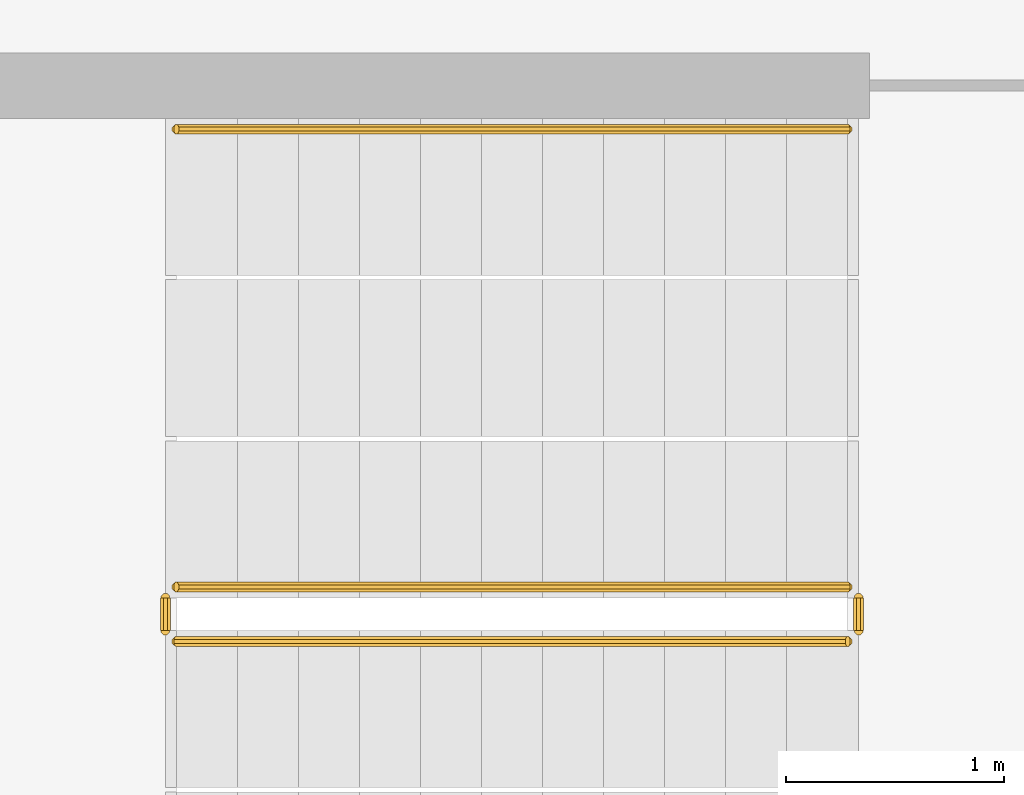
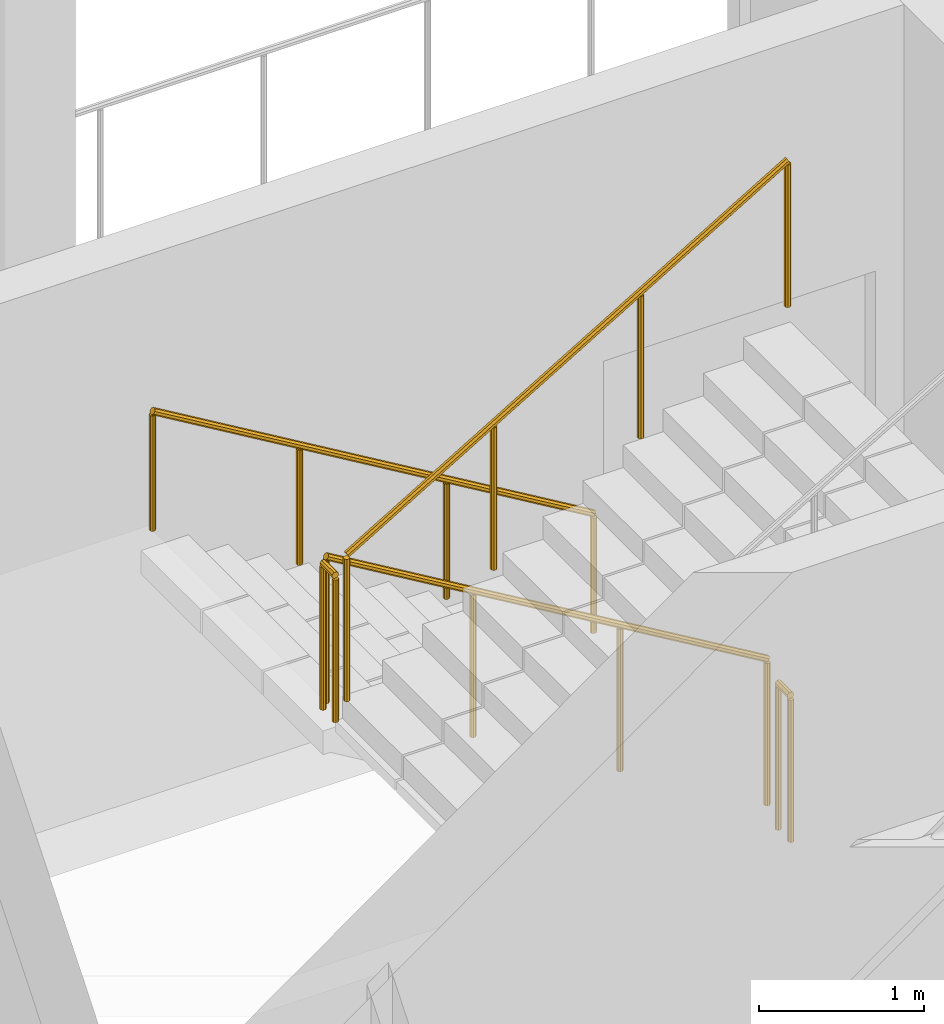
# One storey, part 20 of 28: 5 railings.
"""IFC4 building model written with IfcOpenShell, lengths in metres."""

from ifc_helpers import new_model, si_unit, direction, frame, origin, place, context, subcontext, project, spatial, polyline, outline, extrude, material, type_object, element, save


model = new_model("IFC4")

# Units and contexts
model_context = context("Model", 3, precision=1e-05, world=origin(), true_north=direction((0.0, 1.0)))
body_context = subcontext(model_context, "Body", "Model", "MODEL_VIEW")
ifc_project = project(units=[si_unit("LENGTHUNIT", "METRE"), si_unit("AREAUNIT", "SQUARE_METRE"), si_unit("VOLUMEUNIT", "CUBIC_METRE"), si_unit("PLANEANGLEUNIT", "RADIAN"), si_unit("MASSUNIT", "GRAM", prefix="KILO")], contexts=[model_context])

# Site, building, storey
site_placement = place(None, origin())
site = spatial("IfcSite", under=ifc_project, at=site_placement, CompositionType="ELEMENT")
building_placement = place(site_placement, origin())
building = spatial("IfcBuilding", under=site, at=building_placement, Name="Cormorant Relay Tower", CompositionType="ELEMENT")
storey_placement = place(building_placement, frame((0.0, 0.0, 126.199951171875)))
storey = spatial("IfcBuildingStorey", under=building, at=storey_placement, Name="L25", CompositionType="ELEMENT", Elevation=126.199951171875)

# Railings
ifc_material_1 = material(Name="Steel ASTM A572 Grade 50 (Fy 345 MPa)", Category="steel")
railing_type_1 = type_object("IfcRailingType", Name="Stair guard 1100", PredefinedType="GUARDRAIL", material=ifc_material_1)
railing_1_placement = place(storey_placement, frame((1.60009765625, -18.27490234375, 0.166748046875)))
element("IfcRailing", 1, at=railing_1_placement, inside=storey, type_object=railing_type_1, Name="L25 RK1 stair guard 1", PredefinedType="GUARDRAIL", context=body_context, shape_type="SweptSolid", body=[
    extrude(outline(polyline([(0.022216796875, 0.00927734375), (0.00927734375, 0.022216796875), (-0.00927734375, 0.022216796875), (-0.022216796875, 0.00927734375), (-0.022216796875, -0.00927734375), (-0.00927734375, -0.022216796875), (0.00927734375, -0.022216796875), (0.022216796875, -0.00927734375), (0.022216796875, 0.00927734375)])), frame((0.0, 0.0, 1.076171875), z_axis=(-0.859308565015, 0.0, 0.511457515432), x_axis=(0.0, -1.0, 0.0)), (0.0, 0.0, 1.0), 3.58447265625),
    extrude(outline(polyline([(0.019287109375, 0.008056640625), (0.008056640625, 0.019287109375), (-0.008056640625, 0.019287109375), (-0.019287109375, 0.008056640625), (-0.019287109375, -0.008056640625), (-0.008056640625, -0.019287109375), (0.008056640625, -0.019287109375), (0.019287109375, -0.008056640625), (0.019287109375, 0.008056640625)])), origin(), (0.0, 0.0, 1.0), 1.052001953125),
    extrude(outline(polyline([(0.019287109375, 0.008056640625), (0.008056640625, 0.019287109375), (-0.008056640625, 0.019287109375), (-0.019287109375, 0.008056640625), (-0.019287109375, -0.008056640625), (-0.008056640625, -0.019287109375), (0.008056640625, -0.019287109375), (0.019287109375, -0.008056640625), (0.019287109375, 0.008056640625)])), frame((-1.026611328125, 0.0, 0.611083984375)), (0.0, 0.0, 1.0), 1.052001953125),
    extrude(outline(polyline([(0.019287109375, 0.008056640625), (0.008056640625, 0.019287109375), (-0.008056640625, 0.019287109375), (-0.019287109375, 0.008056640625), (-0.019287109375, -0.008056640625), (-0.008056640625, -0.019287109375), (0.008056640625, -0.019287109375), (0.019287109375, -0.008056640625), (0.019287109375, 0.008056640625)])), frame((-2.053466796875, 0.0, 1.22216796875)), (0.0, 0.0, 1.0), 1.052001953125),
    extrude(outline(polyline([(0.019287109375, 0.008056640625), (0.008056640625, 0.019287109375), (-0.008056640625, 0.019287109375), (-0.019287109375, 0.008056640625), (-0.019287109375, -0.008056640625), (-0.008056640625, -0.019287109375), (0.008056640625, -0.019287109375), (0.019287109375, -0.008056640625), (0.019287109375, 0.008056640625)])), frame((-3.080078125, 0.0, 1.833251953125)), (0.0, 0.0, 1.0), 1.052001953125),
])
railing_2_placement = place(storey_placement, frame((-1.530029296875, -18.324951171875, 2.0)))
element("IfcRailing", 2, at=railing_2_placement, inside=storey, type_object=railing_type_1, Name="L25 RK1 stair guard 2", PredefinedType="GUARDRAIL", context=body_context, shape_type="SweptSolid", body=[
    extrude(outline(polyline([(0.022216796875, 0.00927734375), (0.00927734375, 0.022216796875), (-0.00927734375, 0.022216796875), (-0.022216796875, 0.00927734375), (-0.022216796875, -0.00927734375), (-0.00927734375, -0.022216796875), (0.00927734375, -0.022216796875), (0.022216796875, -0.00927734375), (0.022216796875, 0.00927734375)])), frame((0.0, 0.0, 1.076171875), z_axis=(0.0, -1.0, 0.0), x_axis=(1.0, 0.0, 0.0)), (0.0, 0.0, 1.0), 0.150146484375),
    extrude(outline(polyline([(0.019287109375, 0.008056640625), (0.008056640625, 0.019287109375), (-0.008056640625, 0.019287109375), (-0.019287109375, 0.008056640625), (-0.019287109375, -0.008056640625), (-0.008056640625, -0.019287109375), (0.008056640625, -0.019287109375), (0.019287109375, -0.008056640625), (0.019287109375, 0.008056640625)])), origin(), (0.0, 0.0, 1.0), 1.052001953125),
    extrude(outline(polyline([(0.019287109375, 0.008056640625), (0.008056640625, 0.019287109375), (-0.008056640625, 0.019287109375), (-0.019287109375, 0.008056640625), (-0.019287109375, -0.008056640625), (-0.008056640625, -0.019287109375), (0.008056640625, -0.019287109375), (0.019287109375, -0.008056640625), (0.019287109375, 0.008056640625)])), frame((0.0, -0.150146484375, 0.0)), (0.0, 0.0, 1.0), 1.052001953125),
])
railing_3_placement = place(storey_placement, frame((-1.47998046875, -18.52490234375, 2.166748046875)))
element("IfcRailing", 3, at=railing_3_placement, inside=storey, type_object=railing_type_1, Name="L25 RK1 stair guard 3", PredefinedType="GUARDRAIL", context=body_context, shape_type="SweptSolid", body=[
    extrude(outline(polyline([(0.022216796875, 0.00927734375), (0.00927734375, 0.022216796875), (-0.00927734375, 0.022216796875), (-0.022216796875, 0.00927734375), (-0.022216796875, -0.00927734375), (-0.00927734375, -0.022216796875), (0.00927734375, -0.022216796875), (0.022216796875, -0.00927734375), (0.022216796875, 0.00927734375)])), frame((0.0, 0.0, 1.076171875), z_axis=(0.859308565015, 0.0, 0.511457515432), x_axis=(0.0, 1.0, 0.0)), (0.0, 0.0, 1.0), 3.58447265625),
    extrude(outline(polyline([(0.019287109375, 0.008056640625), (0.008056640625, 0.019287109375), (-0.008056640625, 0.019287109375), (-0.019287109375, 0.008056640625), (-0.019287109375, -0.008056640625), (-0.008056640625, -0.019287109375), (0.008056640625, -0.019287109375), (0.019287109375, -0.008056640625), (0.019287109375, 0.008056640625)])), origin(), (0.0, 0.0, 1.0), 1.052001953125),
    extrude(outline(polyline([(0.019287109375, 0.008056640625), (0.008056640625, 0.019287109375), (-0.008056640625, 0.019287109375), (-0.019287109375, 0.008056640625), (-0.019287109375, -0.008056640625), (-0.008056640625, -0.019287109375), (0.008056640625, -0.019287109375), (0.019287109375, -0.008056640625), (0.019287109375, 0.008056640625)])), frame((1.026611328125, 0.0, 0.611083984375)), (0.0, 0.0, 1.0), 1.052001953125),
    extrude(outline(polyline([(0.019287109375, 0.008056640625), (0.008056640625, 0.019287109375), (-0.008056640625, 0.019287109375), (-0.019287109375, 0.008056640625), (-0.019287109375, -0.008056640625), (-0.008056640625, -0.019287109375), (0.008056640625, -0.019287109375), (0.019287109375, -0.008056640625), (0.019287109375, 0.008056640625)])), frame((2.053466796875, 0.0, 1.22216796875)), (0.0, 0.0, 1.0), 1.052001953125),
    extrude(outline(polyline([(0.019287109375, 0.008056640625), (0.008056640625, 0.019287109375), (-0.008056640625, 0.019287109375), (-0.019287109375, 0.008056640625), (-0.019287109375, -0.008056640625), (-0.008056640625, -0.019287109375), (0.008056640625, -0.019287109375), (0.019287109375, -0.008056640625), (0.019287109375, 0.008056640625)])), frame((3.080078125, 0.0, 1.833251953125)), (0.0, 0.0, 1.0), 1.052001953125),
])
railing_4_placement = place(storey_placement, frame((1.64990234375, -18.324951171875, 0.0)))
element("IfcRailing", 4, at=railing_4_placement, inside=storey, type_object=railing_type_1, Name="L25 RK1 stair guard 4", PredefinedType="GUARDRAIL", context=body_context, shape_type="SweptSolid", body=[
    extrude(outline(polyline([(0.022216796875, 0.00927734375), (0.00927734375, 0.022216796875), (-0.00927734375, 0.022216796875), (-0.022216796875, 0.00927734375), (-0.022216796875, -0.00927734375), (-0.00927734375, -0.022216796875), (0.00927734375, -0.022216796875), (0.022216796875, -0.00927734375), (0.022216796875, 0.00927734375)])), frame((0.0, 0.0, 1.076171875), z_axis=(0.0, -1.0, 0.0), x_axis=(1.0, 0.0, 0.0)), (0.0, 0.0, 1.0), 0.150146484375),
    extrude(outline(polyline([(0.019287109375, 0.008056640625), (0.008056640625, 0.019287109375), (-0.008056640625, 0.019287109375), (-0.019287109375, 0.008056640625), (-0.019287109375, -0.008056640625), (-0.008056640625, -0.019287109375), (0.008056640625, -0.019287109375), (0.019287109375, -0.008056640625), (0.019287109375, 0.008056640625)])), origin(), (0.0, 0.0, 1.0), 1.052001953125),
    extrude(outline(polyline([(0.019287109375, 0.008056640625), (0.008056640625, 0.019287109375), (-0.008056640625, 0.019287109375), (-0.019287109375, 0.008056640625), (-0.019287109375, -0.008056640625), (-0.008056640625, -0.019287109375), (0.008056640625, -0.019287109375), (0.019287109375, -0.008056640625), (0.019287109375, 0.008056640625)])), frame((0.0, -0.150146484375, 0.0)), (0.0, 0.0, 1.0), 1.052001953125),
])
ifc_material_2 = material(Name="Steel ASTM A572 Grade 50 (Fy 345 MPa)", Category="steel")
railing_type_2 = type_object("IfcRailingType", Name="Stair handrail 900", PredefinedType="HANDRAIL", material=ifc_material_2)
railing_5_placement = place(storey_placement, frame((1.60009765625, -16.175048828125, 0.166748046875)))
element("IfcRailing", 5, at=railing_5_placement, inside=storey, type_object=railing_type_2, Name="L25 RK1 stair handrail 1", PredefinedType="HANDRAIL", context=body_context, shape_type="SweptSolid", body=[
    extrude(outline(polyline([(0.022216796875, 0.00927734375), (0.00927734375, 0.022216796875), (-0.00927734375, 0.022216796875), (-0.022216796875, 0.00927734375), (-0.022216796875, -0.00927734375), (-0.00927734375, -0.022216796875), (0.00927734375, -0.022216796875), (0.022216796875, -0.00927734375), (0.022216796875, 0.00927734375)])), frame((0.0, 0.0, 0.8759765625), z_axis=(-0.859308565015, 0.0, 0.511457515432), x_axis=(0.0, -1.0, 0.0)), (0.0, 0.0, 1.0), 3.58447265625),
    extrude(outline(polyline([(0.019287109375, 0.008056640625), (0.008056640625, 0.019287109375), (-0.008056640625, 0.019287109375), (-0.019287109375, 0.008056640625), (-0.019287109375, -0.008056640625), (-0.008056640625, -0.019287109375), (0.008056640625, -0.019287109375), (0.019287109375, -0.008056640625), (0.019287109375, 0.008056640625)])), origin(), (0.0, 0.0, 1.0), 0.851806640625),
    extrude(outline(polyline([(0.019287109375, 0.008056640625), (0.008056640625, 0.019287109375), (-0.008056640625, 0.019287109375), (-0.019287109375, 0.008056640625), (-0.019287109375, -0.008056640625), (-0.008056640625, -0.019287109375), (0.008056640625, -0.019287109375), (0.019287109375, -0.008056640625), (0.019287109375, 0.008056640625)])), frame((-1.026611328125, 0.0, 0.611083984375)), (0.0, 0.0, 1.0), 0.851806640625),
    extrude(outline(polyline([(0.019287109375, 0.008056640625), (0.008056640625, 0.019287109375), (-0.008056640625, 0.019287109375), (-0.019287109375, 0.008056640625), (-0.019287109375, -0.008056640625), (-0.008056640625, -0.019287109375), (0.008056640625, -0.019287109375), (0.019287109375, -0.008056640625), (0.019287109375, 0.008056640625)])), frame((-2.053466796875, 0.0, 1.22216796875)), (0.0, 0.0, 1.0), 0.851806640625),
    extrude(outline(polyline([(0.019287109375, 0.008056640625), (0.008056640625, 0.019287109375), (-0.008056640625, 0.019287109375), (-0.019287109375, 0.008056640625), (-0.019287109375, -0.008056640625), (-0.008056640625, -0.019287109375), (0.008056640625, -0.019287109375), (0.019287109375, -0.008056640625), (0.019287109375, 0.008056640625)])), frame((-3.080078125, 0.0, 1.833251953125)), (0.0, 0.0, 1.0), 0.851806640625),
])

save(model, "model.ifc")
